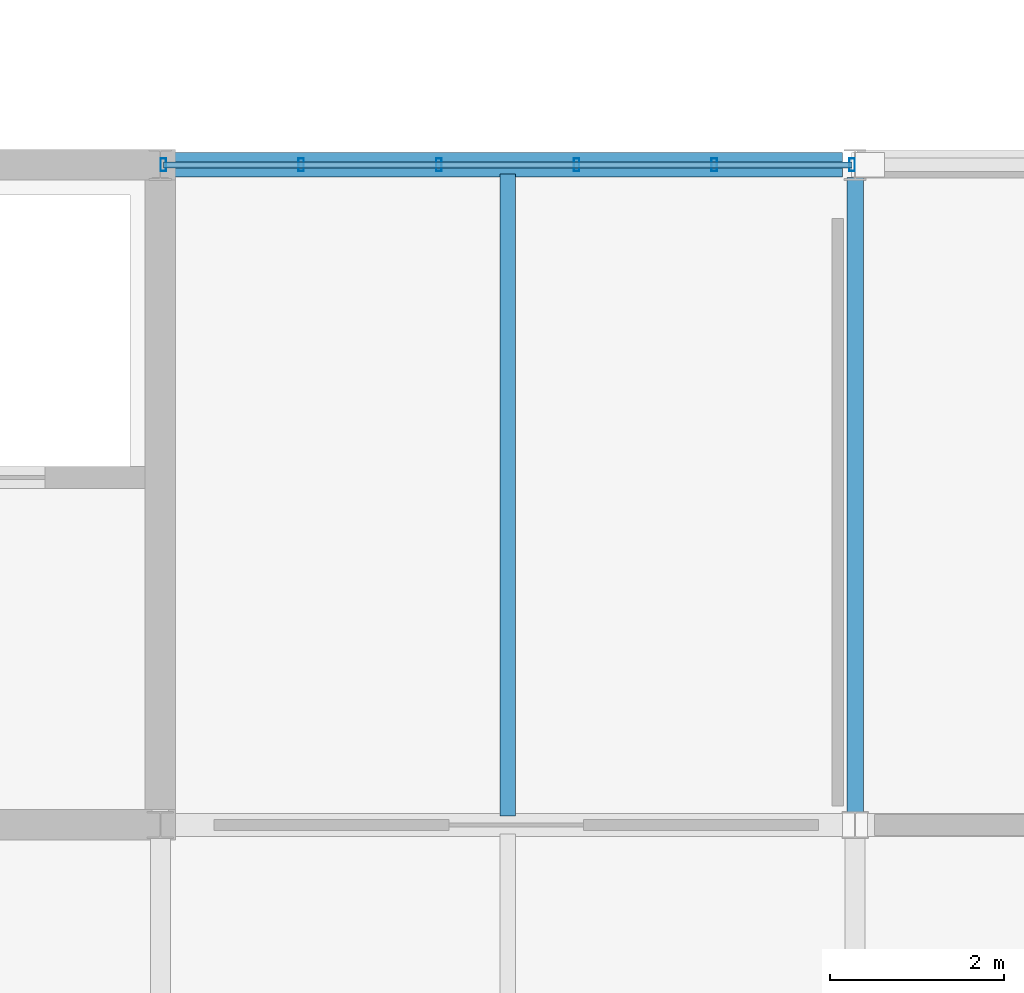
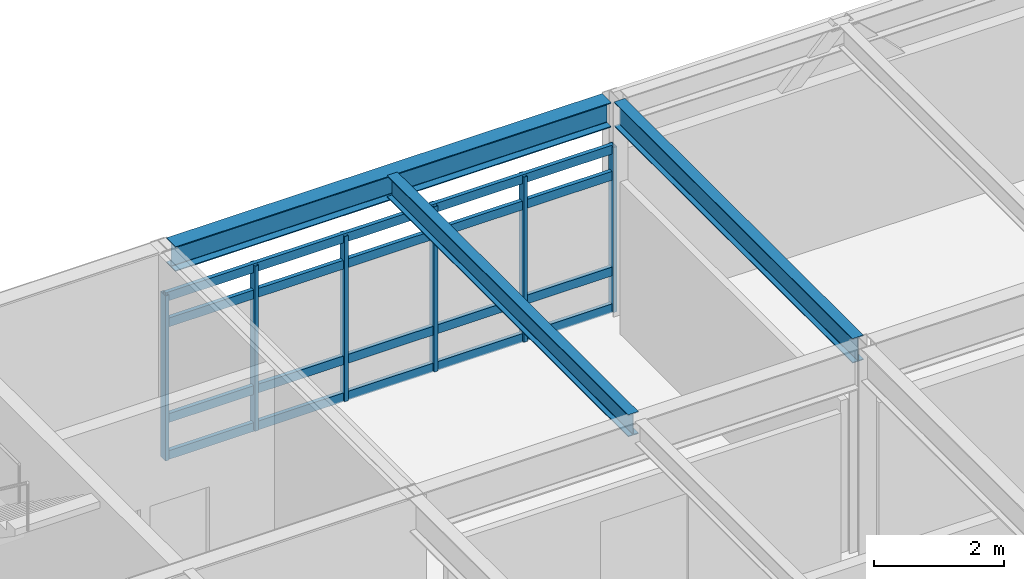
# One storey, part 9 of 21: 10 members, 3 beams, 1 element without a shape of its own.
"""IFC4 building model written with IfcOpenShell, lengths in metres."""

from ifc_helpers import new_model, si_unit, direction, frame, origin, origin_2d, place, context, subcontext, project, spatial, hollow_rectangle, i_section, extrude, material, material_profile, profile_set, type_object, element, aggregate, save


model = new_model("IFC4")

# Units and contexts
model_context = context("Model", 3, precision=1e-05, world=origin(), true_north=direction((0.0, 1.0)))
body_context = subcontext(model_context, "Body", "Model", "MODEL_VIEW")
ifc_project = project(units=[si_unit("LENGTHUNIT", "METRE"), si_unit("AREAUNIT", "SQUARE_METRE"), si_unit("VOLUMEUNIT", "CUBIC_METRE"), si_unit("PLANEANGLEUNIT", "RADIAN"), si_unit("MASSUNIT", "GRAM", prefix="KILO")], contexts=[model_context])

# Site, building, storey
site_placement = place(None, origin())
site = spatial("IfcSite", under=ifc_project, at=site_placement, CompositionType="ELEMENT")
building_placement = place(site_placement, origin())
building = spatial("IfcBuilding", under=site, at=building_placement, Name="Zulena Civic Courthouse", CompositionType="ELEMENT")
storey_placement = place(building_placement, frame((0.0, 0.0, 37.800048828125)))
storey = spatial("IfcBuildingStorey", under=building, at=storey_placement, Name="L08", CompositionType="ELEMENT", Elevation=37.800048828125)

# Curtain wall, members
ifc_material_1 = material(Name="Double-silver low-E laminated solar-control glass", Category="glass")
curtain_wall_type = type_object("IfcCurtainWallType", Name="CW_7928x3090", PredefinedType="USERDEFINED", material=ifc_material_1)
curtain_wall_placement = place(storey_placement, origin())
curtain_wall = element("IfcCurtainWall", 1, at=curtain_wall_placement, inside=storey, type_object=curtain_wall_type, Name="cw:V2:L08:1:1", ObjectType="UNITISED CURTAIN WALL", PredefinedType="USERDEFINED")
ifc_material_2 = material(Name="Bronze anodised thermally broken aluminium AA6063-T6", Category="aluminium")
ifc_material_profile_1 = material_profile(ifc_material_2, hollow_rectangle(XDim=0.06494140625, YDim=0.14990234375, WallThickness=0.00390625, at=origin_2d()), Name="CWM150X65X4")
ifc_profile_set_1 = profile_set([ifc_material_profile_1], Name="Bronze anodised thermally broken aluminium AA6063-T6")
member_type_1 = type_object("IfcMemberType", Name="CWMullion_150x65", PredefinedType="MULLION", material=ifc_profile_set_1)
member_1_placement = place(storey_placement, frame((28.035888671875, 22.800048828125, 0.0), z_axis=(0.0, 0.0, 1.0), x_axis=(1.0, 0.0, 0.0)))
member_1 = element("IfcMember", 2, at=member_1_placement, type_object=member_type_1, Name="cw:V2:L08:1:1:mull:0", PredefinedType="MULLION", context=body_context, shape_type="SweptSolid", body=[
    extrude(hollow_rectangle(XDim=0.06494140625, YDim=0.14990234375, WallThickness=0.00390625, at=origin_2d()), origin(), (0.0, 0.0, 1.0), 3.08984375),
])
member_2_placement = place(storey_placement, frame((29.62158203125, 22.800048828125, 0.0), z_axis=(0.0, 0.0, 1.0), x_axis=(1.0, 0.0, 0.0)))
member_2 = element("IfcMember", 3, at=member_2_placement, type_object=member_type_1, Name="cw:V2:L08:1:1:mull:1", PredefinedType="MULLION", context=body_context, shape_type="SweptSolid", body=[
    extrude(hollow_rectangle(XDim=0.06494140625, YDim=0.14990234375, WallThickness=0.00390625, at=origin_2d()), origin(), (0.0, 0.0, 1.0), 3.08984375),
])
member_3_placement = place(storey_placement, frame((31.207275390625, 22.800048828125, 0.0), z_axis=(0.0, 0.0, 1.0), x_axis=(1.0, 0.0, 0.0)))
member_3 = element("IfcMember", 4, at=member_3_placement, type_object=member_type_1, Name="cw:V2:L08:1:1:mull:2", PredefinedType="MULLION", context=body_context, shape_type="SweptSolid", body=[
    extrude(hollow_rectangle(XDim=0.06494140625, YDim=0.14990234375, WallThickness=0.00390625, at=origin_2d()), origin(), (0.0, 0.0, 1.0), 3.08984375),
])
member_4_placement = place(storey_placement, frame((32.792724609375, 22.800048828125, 0.0), z_axis=(0.0, 0.0, 1.0), x_axis=(1.0, 0.0, 0.0)))
member_4 = element("IfcMember", 5, at=member_4_placement, type_object=member_type_1, Name="cw:V2:L08:1:1:mull:3", PredefinedType="MULLION", context=body_context, shape_type="SweptSolid", body=[
    extrude(hollow_rectangle(XDim=0.06494140625, YDim=0.14990234375, WallThickness=0.00390625, at=origin_2d()), origin(), (0.0, 0.0, 1.0), 3.08984375),
])
member_5_placement = place(storey_placement, frame((34.37841796875, 22.800048828125, 0.0), z_axis=(0.0, 0.0, 1.0), x_axis=(1.0, 0.0, 0.0)))
member_5 = element("IfcMember", 6, at=member_5_placement, type_object=member_type_1, Name="cw:V2:L08:1:1:mull:4", PredefinedType="MULLION", context=body_context, shape_type="SweptSolid", body=[
    extrude(hollow_rectangle(XDim=0.06494140625, YDim=0.14990234375, WallThickness=0.00390625, at=origin_2d()), origin(), (0.0, 0.0, 1.0), 3.08984375),
])
member_6_placement = place(storey_placement, frame((35.964111328125, 22.800048828125, 0.0), z_axis=(0.0, 0.0, 1.0), x_axis=(1.0, 0.0, 0.0)))
member_6 = element("IfcMember", 7, at=member_6_placement, type_object=member_type_1, Name="cw:V2:L08:1:1:mull:5", PredefinedType="MULLION", context=body_context, shape_type="SweptSolid", body=[
    extrude(hollow_rectangle(XDim=0.06494140625, YDim=0.14990234375, WallThickness=0.00390625, at=origin_2d()), origin(), (0.0, 0.0, 1.0), 3.08984375),
])
ifc_material_profile_2 = material_profile(ifc_material_2, hollow_rectangle(XDim=0.070068359375, YDim=0.1650390625, WallThickness=0.00390625, at=origin_2d()), Name="CWT165X70X4")
ifc_profile_set_2 = profile_set([ifc_material_profile_2], Name="Bronze anodised thermally broken aluminium AA6063-T6")
member_type_2 = type_object("IfcMemberType", Name="CWTransom_165x70", PredefinedType="USERDEFINED", material=ifc_profile_set_2)
member_7_placement = place(storey_placement, frame((28.035888671875, 22.800048828125, 0.06005859375), z_axis=(1.0, 0.0, 0.0), x_axis=(0.0, 1.0, 0.0)))
member_7 = element("IfcMember", 8, at=member_7_placement, type_object=member_type_2, Name="cw:V2:L08:1:1:tran:0", ObjectType="TRANSOM", PredefinedType="USERDEFINED", context=body_context, shape_type="SweptSolid", body=[
    extrude(hollow_rectangle(XDim=0.070068359375, YDim=0.1650390625, WallThickness=0.00390625, at=origin_2d()), origin(), (0.0, 0.0, 1.0), 7.92822265625),
])
member_8_placement = place(storey_placement, frame((28.035888671875, 22.800048828125, 0.75), z_axis=(1.0, 0.0, 0.0), x_axis=(0.0, 1.0, 0.0)))
member_8 = element("IfcMember", 9, at=member_8_placement, type_object=member_type_2, Name="cw:V2:L08:1:1:tran:1", ObjectType="TRANSOM", PredefinedType="USERDEFINED", context=body_context, shape_type="SweptSolid", body=[
    extrude(hollow_rectangle(XDim=0.070068359375, YDim=0.1650390625, WallThickness=0.00390625, at=origin_2d()), origin(), (0.0, 0.0, 1.0), 7.92822265625),
])
member_9_placement = place(storey_placement, frame((28.035888671875, 22.800048828125, 2.5400390625), z_axis=(1.0, 0.0, 0.0), x_axis=(0.0, 1.0, 0.0)))
member_9 = element("IfcMember", 10, at=member_9_placement, type_object=member_type_2, Name="cw:V2:L08:1:1:tran:2", ObjectType="TRANSOM", PredefinedType="USERDEFINED", context=body_context, shape_type="SweptSolid", body=[
    extrude(hollow_rectangle(XDim=0.070068359375, YDim=0.1650390625, WallThickness=0.00390625, at=origin_2d()), origin(), (0.0, 0.0, 1.0), 7.92822265625),
])
member_10_placement = place(storey_placement, frame((28.035888671875, 22.800048828125, 3.030029296875), z_axis=(1.0, 0.0, 0.0), x_axis=(0.0, 1.0, 0.0)))
member_10 = element("IfcMember", 11, at=member_10_placement, type_object=member_type_2, Name="cw:V2:L08:1:1:tran:3", ObjectType="TRANSOM", PredefinedType="USERDEFINED", context=body_context, shape_type="SweptSolid", body=[
    extrude(hollow_rectangle(XDim=0.070068359375, YDim=0.1650390625, WallThickness=0.00390625, at=origin_2d()), origin(), (0.0, 0.0, 1.0), 7.92822265625),
])
aggregate(curtain_wall, [member_1, member_2, member_3, member_4, member_5, member_6, member_7, member_8, member_9, member_10])

# Beams
ifc_material_3 = material(Name="Steel ASTM A992 Grade 50", Category="steel")
ifc_material_profile_3 = material_profile(ifc_material_3, i_section(OverallWidth=0.180908203125, OverallDepth=0.4169921875, WebThickness=0.010986328125, FlangeThickness=0.018310546875, FilletRadius=0.01025390625, at=origin_2d()), Name="W16X57")
ifc_profile_set_3 = profile_set([ifc_material_profile_3], Name="Steel ASTM A992 Grade 50")
beam_type_1 = type_object("IfcBeamType", Name="Joist_W16X57", PredefinedType="JOIST", material=ifc_profile_set_3)
beam_1_placement = place(storey_placement, frame((32.0, 15.304931640625, 3.79150390625), z_axis=(0.0, 1.0, 0.0), x_axis=(-1.0, 0.0, 0.0)))
element("IfcBeam", 12, at=beam_1_placement, inside=storey, type_object=beam_type_1, Name="joist:V2:L08:32.00:15.2_22.8", PredefinedType="JOIST", context=body_context, shape_type="SweptSolid", body=[
    extrude(i_section(OverallWidth=0.180908203125, OverallDepth=0.4169921875, WebThickness=0.010986328125, FlangeThickness=0.018310546875, FilletRadius=0.01025390625, at=origin_2d()), origin(), (0.0, 0.0, 1.0), 7.39013671875),
])
ifc_material_profile_4 = material_profile(ifc_material_3, i_section(OverallWidth=0.19091796875, OverallDepth=0.4599609375, WebThickness=0.010009765625, FlangeThickness=0.01611328125, FilletRadius=0.01025390625, at=origin_2d()), Name="W18X55")
ifc_profile_set_4 = profile_set([ifc_material_profile_4], Name="Steel ASTM A992 Grade 50")
beam_type_2 = type_object("IfcBeamType", Name="Spandrel_W18X55", PredefinedType="SPANDREL", material=ifc_profile_set_4)
beam_2_placement = place(storey_placement, frame((36.0, 15.344970703125, 3.77001953125), z_axis=(0.0, 1.0, 0.0), x_axis=(-1.0, 0.0, 0.0)))
element("IfcBeam", 13, at=beam_2_placement, inside=storey, type_object=beam_type_2, Name="beam:Y:V2:L08:36.0:15.2_22.8", PredefinedType="SPANDREL", context=body_context, shape_type="SweptSolid", body=[
    extrude(i_section(OverallWidth=0.19091796875, OverallDepth=0.4599609375, WebThickness=0.010009765625, FlangeThickness=0.01611328125, FilletRadius=0.01025390625, at=origin_2d()), origin(), (0.0, 0.0, 1.0), 7.31005859375),
])
ifc_material_profile_5 = material_profile(ifc_material_3, i_section(OverallWidth=0.280029296875, OverallDepth=0.462890625, WebThickness=0.0107421875, FlangeThickness=0.017333984375, FilletRadius=0.01025390625, at=origin_2d()), Name="W18X76")
ifc_profile_set_5 = profile_set([ifc_material_profile_5], Name="Steel ASTM A992 Grade 50")
beam_type_3 = type_object("IfcBeamType", Name="Spandrel_W18X76", PredefinedType="SPANDREL", material=ifc_profile_set_5)
beam_3_placement = place(storey_placement, frame((28.14501953125, 22.800048828125, 3.7685546875), z_axis=(1.0, 0.0, 0.0), x_axis=(0.0, 1.0, 0.0)))
element("IfcBeam", 14, at=beam_3_placement, inside=storey, type_object=beam_type_3, Name="beam:X:V2:L08:22.8:28.0_36.0", PredefinedType="SPANDREL", context=body_context, shape_type="SweptSolid", body=[
    extrude(i_section(OverallWidth=0.280029296875, OverallDepth=0.462890625, WebThickness=0.0107421875, FlangeThickness=0.017333984375, FilletRadius=0.01025390625, at=origin_2d()), origin(), (0.0, 0.0, 1.0), 7.7099609375),
])

save(model, "model.ifc")
